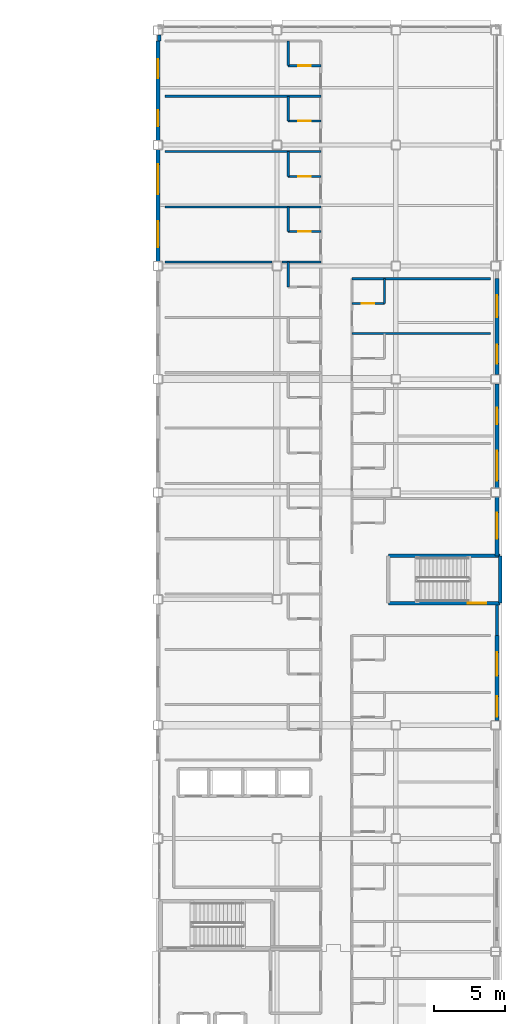
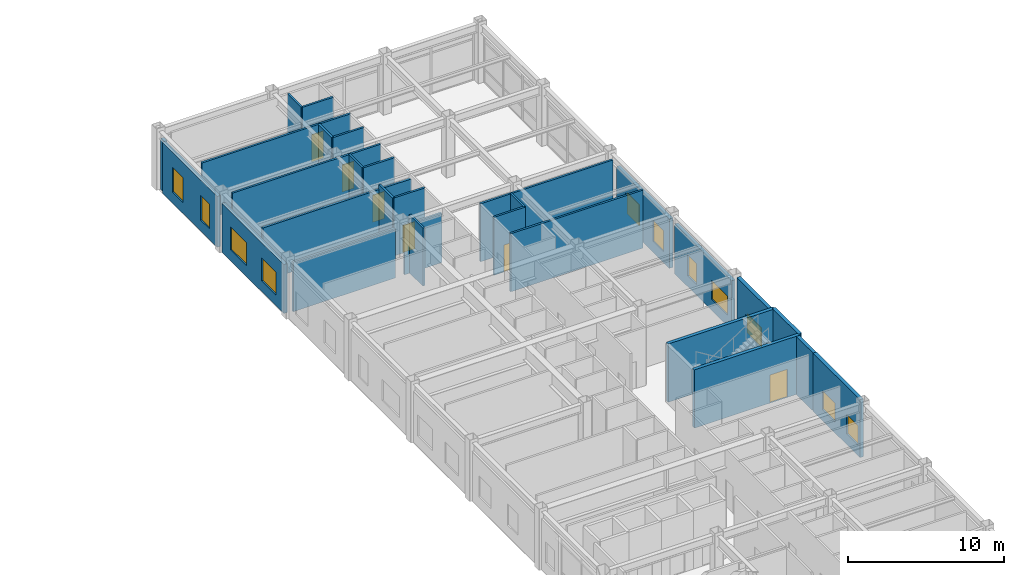
# One storey, part 81 of 93: 29 walls, 11 windows, 6 doors, 17 openings.
"""IFC4 building model written with IfcOpenShell, lengths in metres."""

from ifc_helpers import new_model, si_unit, direction, frame, frame_2d, origin, place, context, subcontext, project, spatial, rectangle, extrude, material, layer, layer_set, type_object, element, fill, save


model = new_model("IFC4")

# Units and contexts
model_context = context("Model", 3, precision=1e-05, world=origin(), true_north=direction((0.0, 1.0)))
body_context = subcontext(model_context, "Body", "Model", "MODEL_VIEW")
ifc_project = project(units=[si_unit("LENGTHUNIT", "METRE"), si_unit("AREAUNIT", "SQUARE_METRE"), si_unit("VOLUMEUNIT", "CUBIC_METRE"), si_unit("PLANEANGLEUNIT", "RADIAN"), si_unit("MASSUNIT", "GRAM", prefix="KILO")], contexts=[model_context])

# Site, building, storey
site_placement = place(None, origin())
site = spatial("IfcSite", under=ifc_project, at=site_placement, CompositionType="ELEMENT")
building_placement = place(site_placement, origin())
building = spatial("IfcBuilding", under=site, at=building_placement, Name="Kazehara Bluff Congress Hotel", CompositionType="ELEMENT")
storey_placement = place(building_placement, frame((0.0, 0.0, 15.0)))
storey = spatial("IfcBuildingStorey", under=building, at=storey_placement, Name="L03", CompositionType="ELEMENT", Elevation=15.0)

# Walls
ifc_material_1 = material(Name="Concrete C40/50", Category="concrete")
ifc_layer_1 = layer(ifc_material_1, 0.25)
ifc_layer_set_1 = layer_set([ifc_layer_1], Name="Concrete C40/50")
wall_type_1 = type_object("IfcWallType", Name="TP-CW-RC", PredefinedType="SHEAR", material=ifc_layer_set_1)
wall_1_placement = place(storey_placement, frame((167.875, 76.425048828125, 0.0), z_axis=(0.0, 0.0, 1.0), x_axis=(0.0, -1.0, 0.0)))
element("IfcWall", 1, at=wall_1_placement, inside=storey, type_object=wall_type_1, Name="L03 ST-12 core wall near", PredefinedType="SHEAR", context=body_context, shape_type="SweptSolid", body=[
    extrude(rectangle(XDim=3.35009765625, YDim=0.25, at=frame_2d((1.675048828125, 0.0))), origin(), (0.0, 0.0, 1.0), 4.56005859375),
])
wall_2_placement = place(storey_placement, frame((159.97509765625, 76.425048828125, 0.0), z_axis=(0.0, 0.0, 1.0), x_axis=(1.0, 0.0, 0.0)))
element("IfcWall", 2, at=wall_2_placement, inside=storey, type_object=wall_type_1, Name="L03 ST-12 core wall left", PredefinedType="SHEAR", context=body_context, shape_type="SweptSolid", body=[
    extrude(rectangle(XDim=7.89990234375, YDim=0.25, at=frame_2d((3.949951171875, 0.0))), origin(), (0.0, 0.0, 1.0), 4.56005859375),
])

# Wall, opening, door
wall_3_placement = place(storey_placement, frame((167.875, 73.074951171875, 0.0), z_axis=(0.0, 0.0, 1.0), x_axis=(-1.0, 0.0, 0.0)))
wall_3 = element("IfcWall", 3, at=wall_3_placement, inside=storey, type_object=wall_type_1, Name="L03 ST-12 core wall right", PredefinedType="SHEAR", context=body_context, shape_type="SweptSolid", body=[
    extrude(rectangle(XDim=7.89990234375, YDim=0.25, at=frame_2d((3.949951171875, 0.0))), origin(), (0.0, 0.0, 1.0), 4.56005859375),
])
opening_1_placement = place(wall_3_placement, frame((0.985107421875, 0.0, 0.0)))
opening_1 = element("IfcOpeningElement", 4, at=opening_1_placement, cuts=wall_3, Name="Opening FD-01", PredefinedType="OPENING", context=body_context, shape_type="SweptSolid", body=[
    extrude(rectangle(XDim=1.300048828125, YDim=2.199951171875, at=frame_2d((0.64990234375, 1.10009765625))), frame((0.0, 0.135009765625, 0.0), z_axis=(0.0, -1.0, 0.0), x_axis=(1.0, 0.0, 0.0)), (0.0, 0.0, 1.0), 0.27001953125),
])
ifc_material_2 = material(Name="Fire-rated painted steel leaf", Category="steel")
door_type_1 = type_object("IfcDoorType", Name="TP-FD-01", OperationType="NOTDEFINED", PredefinedType="DOOR", material=ifc_material_2)
door_1_placement = place(opening_1_placement, origin())
door_1 = element("IfcDoor", 5, at=door_1_placement, inside=storey, type_object=door_type_1, Name="L03 ST-12 fire stair door", OperationType="SINGLE_SWING_LEFT", OverallHeight=2.199951171875, OverallWidth=1.300048828125, PredefinedType="DOOR", context=body_context, shape_type="SweptSolid", body=[
    extrude(rectangle(XDim=1.300048828125, YDim=2.199951171875, at=frame_2d((0.64990234375, 1.10009765625))), frame((0.0, 0.02490234375, 0.0), z_axis=(0.0, -1.0, 0.0), x_axis=(1.0, 0.0, 0.0)), (0.0, 0.0, 1.0), 0.050048828125),
])
fill(opening_1, door_1)

# Walls
ifc_material_3 = material(Name="Precast concrete C40/50", Category="concrete")
ifc_layer_2 = layer(ifc_material_3, 0.239990234375)
ifc_layer_set_2 = layer_set([ifc_layer_2], Name="Precast concrete C40/50")
wall_type_2 = type_object("IfcWallType", Name="TP-EW-240", PredefinedType="SOLIDWALL", material=ifc_layer_set_2)
wall_4_placement = place(storey_placement, frame((167.64990234375, 72.93994140625, 0.0), z_axis=(0.0, 0.0, 1.0), x_axis=(0.0, -1.0, 0.0)))
element("IfcWall", 6, at=wall_4_placement, inside=storey, type_object=wall_type_2, Name="L03 V5 perimeter spandrel pier 709", PredefinedType="SOLIDWALL", context=body_context, shape_type="SweptSolid", body=[
    extrude(rectangle(XDim=2.139892578125, YDim=0.239990234375, at=frame_2d((1.06982421875, 0.0))), origin(), (0.0, 0.0, 1.0), 4.544921875),
])
wall_5_placement = place(storey_placement, frame((143.800048828125, 112.800048828125, 0.0), z_axis=(0.0, 0.0, 1.0), x_axis=(0.0, 1.0, 0.0)))
element("IfcWall", 7, at=wall_5_placement, inside=storey, type_object=wall_type_2, Name="L03 V5 perimeter spandrel pier 712", PredefinedType="SOLIDWALL", context=body_context, shape_type="SweptSolid", body=[
    extrude(rectangle(XDim=0.425048828125, YDim=0.239990234375, at=frame_2d((0.21240234375, 0.0))), origin(), (0.0, 0.0, 1.0), 3.985107421875),
])

# Wall, openings, windows
ifc_material_4 = material(Name="Precast concrete C40/50", Category="concrete")
ifc_layer_3 = layer(ifc_material_4, 0.260009765625)
ifc_layer_set_3 = layer_set([ifc_layer_3], Name="Precast concrete C40/50")
wall_type_3 = type_object("IfcWallType", Name="TP-EW-260", PredefinedType="SOLIDWALL", material=ifc_layer_set_3)
wall_6_placement = place(storey_placement, frame((167.64990234375, 70.800048828125, 0.0), z_axis=(0.0, 0.0, 1.0), x_axis=(0.0, -1.0, 0.0)))
wall_6 = element("IfcWall", 8, at=wall_6_placement, inside=storey, type_object=wall_type_3, Name="L03 hotel facade panel 13", PredefinedType="SOLIDWALL", context=body_context, shape_type="SweptSolid", body=[
    extrude(rectangle(XDim=6.025146484375, YDim=0.260009765625, at=frame_2d((3.0126953125, 0.0))), origin(), (0.0, 0.0, 1.0), 4.544921875),
])
opening_2_placement = place(wall_6_placement, frame((4.304931640625, 0.0, 0.85009765625)))
opening_2 = element("IfcOpeningElement", 9, at=opening_2_placement, cuts=wall_6, Name="Opening WN-17", PredefinedType="OPENING", context=body_context, shape_type="SweptSolid", body=[
    extrude(rectangle(XDim=1.449951171875, YDim=1.5, at=frame_2d((0.72509765625, 0.75))), frame((0.0, 0.139892578125, 0.0), z_axis=(0.0, -1.0, 0.0), x_axis=(1.0, 0.0, 0.0)), (0.0, 0.0, 1.0), 0.280029296875),
])
opening_3_placement = place(wall_6_placement, frame((1.195068359375, 0.0, 0.85009765625)))
opening_3 = element("IfcOpeningElement", 10, at=opening_3_placement, cuts=wall_6, Name="Opening WN-27", PredefinedType="OPENING", context=body_context, shape_type="SweptSolid", body=[
    extrude(rectangle(XDim=1.64990234375, YDim=1.5, at=frame_2d((0.824951171875, 0.75))), frame((0.0, 0.139892578125, 0.0), z_axis=(0.0, -1.0, 0.0), x_axis=(1.0, 0.0, 0.0)), (0.0, 0.0, 1.0), 0.280029296875),
])
ifc_material_5 = material(Name="Insulated low-E double glazing", Category="glass")
window_type_1 = type_object("IfcWindowType", Name="TP-WN-17", PartitioningType="SINGLE_PANEL", PredefinedType="WINDOW", material=ifc_material_5)
window_1_placement = place(opening_2_placement, origin())
window_1 = element("IfcWindow", 11, at=window_1_placement, inside=storey, type_object=window_type_1, Name="L03 guestroom window WN-17 11", OverallHeight=1.5, OverallWidth=1.449951171875, PartitioningType="SINGLE_PANEL", PredefinedType="WINDOW", context=body_context, shape_type="SweptSolid", body=[
    extrude(rectangle(XDim=1.449951171875, YDim=1.5, at=frame_2d((0.72509765625, 0.75))), frame((0.0, 0.030029296875, 0.0), z_axis=(0.0, -1.0, 0.0), x_axis=(1.0, 0.0, 0.0)), (0.0, 0.0, 1.0), 0.06005859375),
])
fill(opening_2, window_1)
ifc_material_6 = material(Name="Insulated low-E double glazing", Category="glass")
window_type_2 = type_object("IfcWindowType", Name="TP-WN-27", PartitioningType="SINGLE_PANEL", PredefinedType="WINDOW", material=ifc_material_6)
window_2_placement = place(opening_3_placement, origin())
window_2 = element("IfcWindow", 12, at=window_2_placement, inside=storey, type_object=window_type_2, Name="L03 guestroom window WN-27 12", OverallHeight=1.5, OverallWidth=1.64990234375, PartitioningType="SINGLE_PANEL", PredefinedType="WINDOW", context=body_context, shape_type="SweptSolid", body=[
    extrude(rectangle(XDim=1.64990234375, YDim=1.5, at=frame_2d((0.824951171875, 0.75))), frame((0.0, 0.030029296875, 0.0), z_axis=(0.0, -1.0, 0.0), x_axis=(1.0, 0.0, 0.0)), (0.0, 0.0, 1.0), 0.06005859375),
])
fill(opening_3, window_2)

# Wall, opening, window
wall_7_placement = place(storey_placement, frame((167.64990234375, 80.574951171875, 0.0), z_axis=(0.0, 0.0, 1.0), x_axis=(0.0, -1.0, 0.0)))
wall_7 = element("IfcWall", 13, at=wall_7_placement, inside=storey, type_object=wall_type_3, Name="L03 hotel facade panel 14", PredefinedType="SOLIDWALL", context=body_context, shape_type="SweptSolid", body=[
    extrude(rectangle(XDim=4.14990234375, YDim=0.260009765625, at=frame_2d((2.074951171875, 0.0))), origin(), (0.0, 0.0, 1.0), 4.544921875),
])
opening_4_placement = place(wall_7_placement, frame((1.110107421875, 0.0, 0.85009765625)))
opening_4 = element("IfcOpeningElement", 14, at=opening_4_placement, cuts=wall_7, Name="Opening WN-37", PredefinedType="OPENING", context=body_context, shape_type="SweptSolid", body=[
    extrude(rectangle(XDim=1.85009765625, YDim=1.5, at=frame_2d((0.925048828125, 0.75))), frame((0.0, 0.139892578125, 0.0), z_axis=(0.0, -1.0, 0.0), x_axis=(1.0, 0.0, 0.0)), (0.0, 0.0, 1.0), 0.280029296875),
])
ifc_material_7 = material(Name="Insulated low-E double glazing", Category="glass")
window_type_3 = type_object("IfcWindowType", Name="TP-WN-37", PartitioningType="DOUBLE_PANEL_VERTICAL", PredefinedType="WINDOW", material=ifc_material_7)
window_3_placement = place(opening_4_placement, origin())
window_3 = element("IfcWindow", 15, at=window_3_placement, inside=storey, type_object=window_type_3, Name="L03 guestroom window WN-37 13", OverallHeight=1.5, OverallWidth=1.85009765625, PartitioningType="SINGLE_PANEL", PredefinedType="WINDOW", context=body_context, shape_type="SweptSolid", body=[
    extrude(rectangle(XDim=1.85009765625, YDim=1.5, at=frame_2d((0.925048828125, 0.75))), frame((0.0, 0.030029296875, 0.0), z_axis=(0.0, -1.0, 0.0), x_axis=(1.0, 0.0, 0.0)), (0.0, 0.0, 1.0), 0.06005859375),
])
fill(opening_4, window_3)

# Wall, openings, windows
wall_8_placement = place(storey_placement, frame((167.64990234375, 88.574951171875, 0.0), z_axis=(0.0, 0.0, 1.0), x_axis=(0.0, -1.0, 0.0)))
wall_8 = element("IfcWall", 16, at=wall_8_placement, inside=storey, type_object=wall_type_3, Name="L03 hotel facade panel 15", PredefinedType="SOLIDWALL", context=body_context, shape_type="SweptSolid", body=[
    extrude(rectangle(XDim=7.349853515625, YDim=0.260009765625, at=frame_2d((3.6748046875, 0.0))), origin(), (0.0, 0.0, 1.0), 3.885009765625),
])
opening_5_placement = place(wall_8_placement, frame((4.735107421875, 0.0, 0.85009765625)))
opening_5 = element("IfcOpeningElement", 17, at=opening_5_placement, cuts=wall_8, Name="Opening WN-47", PredefinedType="OPENING", context=body_context, shape_type="SweptSolid", body=[
    extrude(rectangle(XDim=2.10009765625, YDim=1.5, at=frame_2d((1.050048828125, 0.75))), frame((0.0, 0.139892578125, 0.0), z_axis=(0.0, -1.0, 0.0), x_axis=(1.0, 0.0, 0.0)), (0.0, 0.0, 1.0), 0.280029296875),
])
opening_6_placement = place(wall_8_placement, frame((1.699951171875, 0.0, 0.85009765625)))
opening_6 = element("IfcOpeningElement", 18, at=opening_6_placement, cuts=wall_8, Name="Opening WN-03", PredefinedType="OPENING", context=body_context, shape_type="SweptSolid", body=[
    extrude(rectangle(XDim=1.14990234375, YDim=1.64990234375, at=frame_2d((0.574951171875, 0.824951171875))), frame((0.0, 0.139892578125, 0.0), z_axis=(0.0, -1.0, 0.0), x_axis=(1.0, 0.0, 0.0)), (0.0, 0.0, 1.0), 0.280029296875),
])
ifc_material_8 = material(Name="Insulated low-E double glazing", Category="glass")
window_type_4 = type_object("IfcWindowType", Name="TP-WN-03", PartitioningType="SINGLE_PANEL", PredefinedType="WINDOW", material=ifc_material_8)
window_4_placement = place(opening_6_placement, origin())
window_4 = element("IfcWindow", 19, at=window_4_placement, inside=storey, type_object=window_type_4, Name="L03 guestroom window WN-03 15", OverallHeight=1.64990234375, OverallWidth=1.14990234375, PartitioningType="SINGLE_PANEL", PredefinedType="WINDOW", context=body_context, shape_type="SweptSolid", body=[
    extrude(rectangle(XDim=1.14990234375, YDim=1.64990234375, at=frame_2d((0.574951171875, 0.824951171875))), frame((0.0, 0.030029296875, 0.0), z_axis=(0.0, -1.0, 0.0), x_axis=(1.0, 0.0, 0.0)), (0.0, 0.0, 1.0), 0.06005859375),
])
fill(opening_6, window_4)
ifc_material_9 = material(Name="Insulated low-E double glazing", Category="glass")
window_type_5 = type_object("IfcWindowType", Name="TP-WN-47", PartitioningType="DOUBLE_PANEL_VERTICAL", PredefinedType="WINDOW", material=ifc_material_9)
window_5_placement = place(opening_5_placement, origin())
window_5 = element("IfcWindow", 20, at=window_5_placement, inside=storey, type_object=window_type_5, Name="L03 guestroom window WN-47 14", OverallHeight=1.5, OverallWidth=2.10009765625, PartitioningType="SINGLE_PANEL", PredefinedType="WINDOW", context=body_context, shape_type="SweptSolid", body=[
    extrude(rectangle(XDim=2.10009765625, YDim=1.5, at=frame_2d((1.050048828125, 0.75))), frame((0.0, 0.030029296875, 0.0), z_axis=(0.0, -1.0, 0.0), x_axis=(1.0, 0.0, 0.0)), (0.0, 0.0, 1.0), 0.06005859375),
])
fill(opening_5, window_5)

wall_9_placement = place(storey_placement, frame((167.64990234375, 96.0, 0.0), z_axis=(0.0, 0.0, 1.0), x_axis=(0.0, -1.0, 0.0)))
wall_9 = element("IfcWall", 21, at=wall_9_placement, inside=storey, type_object=wall_type_3, Name="L03 hotel facade panel 16", PredefinedType="SOLIDWALL", context=body_context, shape_type="SweptSolid", body=[
    extrude(rectangle(XDim=6.77490234375, YDim=0.260009765625, at=frame_2d((3.387451171875, 0.0))), origin(), (0.0, 0.0, 1.0), 3.885009765625),
])
opening_7_placement = place(wall_9_placement, frame((4.655029296875, 0.0, 0.85009765625)))
opening_7 = element("IfcOpeningElement", 22, at=opening_7_placement, cuts=wall_9, Name="Opening WN-13", PredefinedType="OPENING", context=body_context, shape_type="SweptSolid", body=[
    extrude(rectangle(XDim=1.35009765625, YDim=1.64990234375, at=frame_2d((0.675048828125, 0.824951171875))), frame((0.0, 0.139892578125, 0.0), z_axis=(0.0, -1.0, 0.0), x_axis=(1.0, 0.0, 0.0)), (0.0, 0.0, 1.0), 0.280029296875),
])
opening_8_placement = place(wall_9_placement, frame((1.1650390625, 0.0, 0.85009765625)))
opening_8 = element("IfcOpeningElement", 23, at=opening_8_placement, cuts=wall_9, Name="Opening WN-23", PredefinedType="OPENING", context=body_context, shape_type="SweptSolid", body=[
    extrude(rectangle(XDim=1.550048828125, YDim=1.64990234375, at=frame_2d((0.77490234375, 0.824951171875))), frame((0.0, 0.139892578125, 0.0), z_axis=(0.0, -1.0, 0.0), x_axis=(1.0, 0.0, 0.0)), (0.0, 0.0, 1.0), 0.280029296875),
])
ifc_material_10 = material(Name="Insulated low-E double glazing", Category="glass")
window_type_6 = type_object("IfcWindowType", Name="TP-WN-13", PartitioningType="SINGLE_PANEL", PredefinedType="WINDOW", material=ifc_material_10)
window_6_placement = place(opening_7_placement, origin())
window_6 = element("IfcWindow", 24, at=window_6_placement, inside=storey, type_object=window_type_6, Name="L03 guestroom window WN-13 16", OverallHeight=1.64990234375, OverallWidth=1.35009765625, PartitioningType="SINGLE_PANEL", PredefinedType="WINDOW", context=body_context, shape_type="SweptSolid", body=[
    extrude(rectangle(XDim=1.35009765625, YDim=1.64990234375, at=frame_2d((0.675048828125, 0.824951171875))), frame((0.0, 0.030029296875, 0.0), z_axis=(0.0, -1.0, 0.0), x_axis=(1.0, 0.0, 0.0)), (0.0, 0.0, 1.0), 0.06005859375),
])
fill(opening_7, window_6)
ifc_material_11 = material(Name="Insulated low-E double glazing", Category="glass")
window_type_7 = type_object("IfcWindowType", Name="TP-WN-23", PartitioningType="SINGLE_PANEL", PredefinedType="WINDOW", material=ifc_material_11)
window_7_placement = place(opening_8_placement, origin())
window_7 = element("IfcWindow", 25, at=window_7_placement, inside=storey, type_object=window_type_7, Name="L03 guestroom window WN-23 17", OverallHeight=1.64990234375, OverallWidth=1.550048828125, PartitioningType="SINGLE_PANEL", PredefinedType="WINDOW", context=body_context, shape_type="SweptSolid", body=[
    extrude(rectangle(XDim=1.550048828125, YDim=1.64990234375, at=frame_2d((0.77490234375, 0.824951171875))), frame((0.0, 0.030029296875, 0.0), z_axis=(0.0, -1.0, 0.0), x_axis=(1.0, 0.0, 0.0)), (0.0, 0.0, 1.0), 0.06005859375),
])
fill(opening_8, window_7)

wall_10_placement = place(storey_placement, frame((143.699951171875, 97.22509765625, 0.0), z_axis=(0.0, 0.0, 1.0), x_axis=(0.0, 1.0, 0.0)))
wall_10 = element("IfcWall", 26, at=wall_10_placement, inside=storey, type_object=wall_type_3, Name="L03 hotel facade panel 22", PredefinedType="SOLIDWALL", context=body_context, shape_type="SweptSolid", body=[
    extrude(rectangle(XDim=7.89990234375, YDim=0.260009765625, at=frame_2d((3.949951171875, 0.0))), origin(), (0.0, 0.0, 1.0), 3.8349609375),
])
opening_9_placement = place(wall_10_placement, frame((1.0, 0.0, 0.85009765625)))
opening_9 = element("IfcOpeningElement", 27, at=opening_9_placement, cuts=wall_10, Name="Opening WN-39", PredefinedType="OPENING", context=body_context, shape_type="SweptSolid", body=[
    extrude(rectangle(XDim=1.85009765625, YDim=1.800048828125, at=frame_2d((0.925048828125, 0.89990234375))), frame((0.0, 0.139892578125, 0.0), z_axis=(0.0, -1.0, 0.0), x_axis=(1.0, 0.0, 0.0)), (0.0, 0.0, 1.0), 0.280029296875),
])
opening_10_placement = place(wall_10_placement, frame((4.7548828125, 0.0, 0.85009765625)))
opening_10 = element("IfcOpeningElement", 28, at=opening_10_placement, cuts=wall_10, Name="Opening WN-49", PredefinedType="OPENING", context=body_context, shape_type="SweptSolid", body=[
    extrude(rectangle(XDim=2.10009765625, YDim=1.800048828125, at=frame_2d((1.050048828125, 0.89990234375))), frame((0.0, 0.139892578125, 0.0), z_axis=(0.0, -1.0, 0.0), x_axis=(1.0, 0.0, 0.0)), (0.0, 0.0, 1.0), 0.280029296875),
])
ifc_material_12 = material(Name="Insulated low-E double glazing", Category="glass")
window_type_8 = type_object("IfcWindowType", Name="TP-WN-39", PartitioningType="DOUBLE_PANEL_VERTICAL", PredefinedType="WINDOW", material=ifc_material_12)
window_8_placement = place(opening_9_placement, origin())
window_8 = element("IfcWindow", 29, at=window_8_placement, inside=storey, type_object=window_type_8, Name="L03 guestroom window WN-39 27", OverallHeight=1.800048828125, OverallWidth=1.85009765625, PartitioningType="SINGLE_PANEL", PredefinedType="WINDOW", context=body_context, shape_type="SweptSolid", body=[
    extrude(rectangle(XDim=1.85009765625, YDim=1.800048828125, at=frame_2d((0.925048828125, 0.89990234375))), frame((0.0, 0.030029296875, 0.0), z_axis=(0.0, -1.0, 0.0), x_axis=(1.0, 0.0, 0.0)), (0.0, 0.0, 1.0), 0.06005859375),
])
fill(opening_9, window_8)
ifc_material_13 = material(Name="Insulated low-E double glazing", Category="glass")
window_type_9 = type_object("IfcWindowType", Name="TP-WN-49", PartitioningType="DOUBLE_PANEL_VERTICAL", PredefinedType="WINDOW", material=ifc_material_13)
window_9_placement = place(opening_10_placement, origin())
window_9 = element("IfcWindow", 30, at=window_9_placement, inside=storey, type_object=window_type_9, Name="L03 guestroom window WN-49 28", OverallHeight=1.800048828125, OverallWidth=2.10009765625, PartitioningType="SINGLE_PANEL", PredefinedType="WINDOW", context=body_context, shape_type="SweptSolid", body=[
    extrude(rectangle(XDim=2.10009765625, YDim=1.800048828125, at=frame_2d((1.050048828125, 0.89990234375))), frame((0.0, 0.030029296875, 0.0), z_axis=(0.0, -1.0, 0.0), x_axis=(1.0, 0.0, 0.0)), (0.0, 0.0, 1.0), 0.06005859375),
])
fill(opening_10, window_9)

wall_11_placement = place(storey_placement, frame((143.699951171875, 105.77490234375, 0.0), z_axis=(0.0, 0.0, 1.0), x_axis=(0.0, 1.0, 0.0)))
wall_11 = element("IfcWall", 31, at=wall_11_placement, inside=storey, type_object=wall_type_3, Name="L03 hotel facade panel 23", PredefinedType="SOLIDWALL", context=body_context, shape_type="SweptSolid", body=[
    extrude(rectangle(XDim=7.025146484375, YDim=0.260009765625, at=frame_2d((3.5126953125, 0.0))), origin(), (0.0, 0.0, 1.0), 3.985107421875),
])
opening_11_placement = place(wall_11_placement, frame((0.985107421875, 0.0, 0.85009765625)))
opening_11 = element("IfcOpeningElement", 32, at=opening_11_placement, cuts=wall_11, Name="Opening WN-05", PredefinedType="OPENING", context=body_context, shape_type="SweptSolid", body=[
    extrude(rectangle(XDim=1.14990234375, YDim=1.949951171875, at=frame_2d((0.574951171875, 0.97509765625))), frame((0.0, 0.139892578125, 0.0), z_axis=(0.0, -1.0, 0.0), x_axis=(1.0, 0.0, 0.0)), (0.0, 0.0, 1.0), 0.280029296875),
])
opening_12_placement = place(wall_11_placement, frame((4.39501953125, 0.0, 0.85009765625)))
opening_12 = element("IfcOpeningElement", 33, at=opening_12_placement, cuts=wall_11, Name="Opening WN-15", PredefinedType="OPENING", context=body_context, shape_type="SweptSolid", body=[
    extrude(rectangle(XDim=1.35009765625, YDim=1.949951171875, at=frame_2d((0.675048828125, 0.97509765625))), frame((0.0, 0.139892578125, 0.0), z_axis=(0.0, -1.0, 0.0), x_axis=(1.0, 0.0, 0.0)), (0.0, 0.0, 1.0), 0.280029296875),
])
ifc_material_14 = material(Name="Insulated low-E double glazing", Category="glass")
window_type_10 = type_object("IfcWindowType", Name="TP-WN-05", PartitioningType="SINGLE_PANEL", PredefinedType="WINDOW", material=ifc_material_14)
window_10_placement = place(opening_11_placement, origin())
window_10 = element("IfcWindow", 34, at=window_10_placement, inside=storey, type_object=window_type_10, Name="L03 guestroom window WN-05 29", OverallHeight=1.949951171875, OverallWidth=1.14990234375, PartitioningType="SINGLE_PANEL", PredefinedType="WINDOW", context=body_context, shape_type="SweptSolid", body=[
    extrude(rectangle(XDim=1.14990234375, YDim=1.949951171875, at=frame_2d((0.574951171875, 0.97509765625))), frame((0.0, 0.030029296875, 0.0), z_axis=(0.0, -1.0, 0.0), x_axis=(1.0, 0.0, 0.0)), (0.0, 0.0, 1.0), 0.06005859375),
])
fill(opening_11, window_10)
ifc_material_15 = material(Name="Insulated low-E double glazing", Category="glass")
window_type_11 = type_object("IfcWindowType", Name="TP-WN-15", PartitioningType="SINGLE_PANEL", PredefinedType="WINDOW", material=ifc_material_15)
window_11_placement = place(opening_12_placement, origin())
window_11 = element("IfcWindow", 35, at=window_11_placement, inside=storey, type_object=window_type_11, Name="L03 guestroom window WN-15 30", OverallHeight=1.949951171875, OverallWidth=1.35009765625, PartitioningType="SINGLE_PANEL", PredefinedType="WINDOW", context=body_context, shape_type="SweptSolid", body=[
    extrude(rectangle(XDim=1.35009765625, YDim=1.949951171875, at=frame_2d((0.675048828125, 0.97509765625))), frame((0.0, 0.030029296875, 0.0), z_axis=(0.0, -1.0, 0.0), x_axis=(1.0, 0.0, 0.0)), (0.0, 0.0, 1.0), 0.06005859375),
])
fill(opening_12, window_11)

# Wall
ifc_material_16 = material(Name="Fire-rated gypsum board stud partition")
ifc_layer_4 = layer(ifc_material_16, 0.14990234375)
ifc_layer_set_4 = layer_set([ifc_layer_4], Name="Fire-rated gypsum board stud partition")
wall_type_4 = type_object("IfcWallType", Name="TP-PT-150", PredefinedType="PARTITIONING", material=ifc_layer_set_4)
wall_12_placement = place(storey_placement, frame((157.39990234375, 92.1201171875, 0.0), z_axis=(0.0, 0.0, 1.0), x_axis=(1.0, 0.0, 0.0)))
element("IfcWall", 36, at=wall_12_placement, inside=storey, type_object=wall_type_4, Name="L03 partition PT-150 307", PredefinedType="PARTITIONING", context=body_context, shape_type="SweptSolid", body=[
    extrude(rectangle(XDim=9.800048828125, YDim=0.14990234375, at=frame_2d((4.89990234375, 0.0))), origin(), (0.0, 0.0, 1.0), 4.544921875),
])

# Wall, opening, door
wall_13_placement = place(storey_placement, frame((157.39990234375, 94.25, 0.0), z_axis=(0.0, 0.0, 1.0), x_axis=(1.0, 0.0, 0.0)))
wall_13 = element("IfcWall", 37, at=wall_13_placement, inside=storey, type_object=wall_type_4, Name="L03 partition PT-150 309", PredefinedType="PARTITIONING", context=body_context, shape_type="SweptSolid", body=[
    extrude(rectangle(XDim=2.300048828125, YDim=0.14990234375, at=frame_2d((1.14990234375, 0.0))), origin(), (0.0, 0.0, 1.0), 4.544921875),
])
opening_13_placement = place(wall_13_placement, frame((0.7099609375, 0.0, 0.0)))
opening_13 = element("IfcOpeningElement", 38, at=opening_13_placement, cuts=wall_13, Name="Opening BD-02", PredefinedType="OPENING", context=body_context, shape_type="SweptSolid", body=[
    extrude(rectangle(XDim=0.8798828125, YDim=2.1201171875, at=frame_2d((0.43994140625, 1.06005859375))), frame((0.0, 0.0849609375, 0.0), z_axis=(0.0, -1.0, 0.0), x_axis=(1.0, 0.0, 0.0)), (0.0, 0.0, 1.0), 0.169921875),
])
ifc_material_17 = material(Name="Architectural oak veneer leaf")
door_type_2 = type_object("IfcDoorType", Name="TP-BD-02", OperationType="NOTDEFINED", PredefinedType="DOOR", material=ifc_material_17)
door_2_placement = place(opening_13_placement, origin())
door_2 = element("IfcDoor", 39, at=door_2_placement, inside=storey, type_object=door_type_2, Name="L03 En-suite Bathroom 30 door", OperationType="SINGLE_SWING_LEFT", OverallHeight=2.1201171875, OverallWidth=0.8798828125, PredefinedType="DOOR", context=body_context, shape_type="SweptSolid", body=[
    extrude(rectangle(XDim=0.8798828125, YDim=2.1201171875, at=frame_2d((0.43994140625, 1.06005859375))), frame((0.0, 0.02490234375, 0.0), z_axis=(0.0, -1.0, 0.0), x_axis=(1.0, 0.0, 0.0)), (0.0, 0.0, 1.0), 0.050048828125),
])
fill(opening_13, door_2)

# Walls
wall_14_placement = place(storey_placement, frame((157.39990234375, 96.0, 0.0), z_axis=(0.0, 0.0, 1.0), x_axis=(1.0, 0.0, 0.0)))
element("IfcWall", 40, at=wall_14_placement, inside=storey, type_object=wall_type_4, Name="L03 partition PT-150 311", PredefinedType="PARTITIONING", context=body_context, shape_type="SweptSolid", body=[
    extrude(rectangle(XDim=9.800048828125, YDim=0.14990234375, at=frame_2d((4.89990234375, 0.0))), origin(), (0.0, 0.0, 1.0), 4.544921875),
])
wall_15_placement = place(storey_placement, frame((144.199951171875, 97.169921875, 0.0), z_axis=(0.0, 0.0, 1.0), x_axis=(1.0, 0.0, 0.0)))
element("IfcWall", 41, at=wall_15_placement, inside=storey, type_object=wall_type_4, Name="L03 partition PT-150 312", PredefinedType="PARTITIONING", context=body_context, shape_type="SweptSolid", body=[
    extrude(rectangle(XDim=7.554931640625, YDim=0.14990234375, at=frame_2d((3.77734375, 0.0))), origin(), (0.0, 0.0, 1.0), 3.885009765625),
])
wall_16_placement = place(storey_placement, frame((152.445068359375, 97.169921875, 0.0), z_axis=(0.0, 0.0, 1.0), x_axis=(1.0, 0.0, 0.0)))
element("IfcWall", 42, at=wall_16_placement, inside=storey, type_object=wall_type_4, Name="L03 partition PT-150 313", PredefinedType="PARTITIONING", context=body_context, shape_type="SweptSolid", body=[
    extrude(rectangle(XDim=2.7548828125, YDim=0.14990234375, at=frame_2d((1.37744140625, 0.0))), origin(), (0.0, 0.0, 1.0), 3.885009765625),
])

# Wall, opening, door
wall_17_placement = place(storey_placement, frame((152.89990234375, 99.330078125, 0.0), z_axis=(0.0, 0.0, 1.0), x_axis=(1.0, 0.0, 0.0)))
wall_17 = element("IfcWall", 43, at=wall_17_placement, inside=storey, type_object=wall_type_4, Name="L03 partition PT-150 314", PredefinedType="PARTITIONING", context=body_context, shape_type="SweptSolid", body=[
    extrude(rectangle(XDim=2.300048828125, YDim=0.14990234375, at=frame_2d((1.14990234375, 0.0))), origin(), (0.0, 0.0, 1.0), 4.544921875),
])
opening_14_placement = place(wall_17_placement, frame((0.7099609375, 0.0, 0.0)))
opening_14 = element("IfcOpeningElement", 44, at=opening_14_placement, cuts=wall_17, Name="Opening BD-02", PredefinedType="OPENING", context=body_context, shape_type="SweptSolid", body=[
    extrude(rectangle(XDim=0.8798828125, YDim=2.1201171875, at=frame_2d((0.43994140625, 1.06005859375))), frame((0.0, 0.0849609375, 0.0), z_axis=(0.0, -1.0, 0.0), x_axis=(1.0, 0.0, 0.0)), (0.0, 0.0, 1.0), 0.169921875),
])
door_3_placement = place(opening_14_placement, origin())
door_3 = element("IfcDoor", 45, at=door_3_placement, inside=storey, type_object=door_type_2, Name="L03 En-suite Bathroom 10 door", OperationType="SINGLE_SWING_LEFT", OverallHeight=2.1201171875, OverallWidth=0.8798828125, PredefinedType="DOOR", context=body_context, shape_type="SweptSolid", body=[
    extrude(rectangle(XDim=0.8798828125, YDim=2.1201171875, at=frame_2d((0.43994140625, 1.06005859375))), frame((0.0, 0.02490234375, 0.0), z_axis=(0.0, -1.0, 0.0), x_axis=(1.0, 0.0, 0.0)), (0.0, 0.0, 1.0), 0.050048828125),
])
fill(opening_14, door_3)

# Wall
wall_18_placement = place(storey_placement, frame((144.199951171875, 101.080078125, 0.0), z_axis=(0.0, 0.0, 1.0), x_axis=(1.0, 0.0, 0.0)))
element("IfcWall", 46, at=wall_18_placement, inside=storey, type_object=wall_type_4, Name="L03 partition PT-150 315", PredefinedType="PARTITIONING", context=body_context, shape_type="SweptSolid", body=[
    extrude(rectangle(XDim=11.0, YDim=0.14990234375, at=frame_2d((5.5, 0.0))), origin(), (0.0, 0.0, 1.0), 4.18505859375),
])

# Wall, opening, door
wall_19_placement = place(storey_placement, frame((152.89990234375, 103.22998046875, 0.0), z_axis=(0.0, 0.0, 1.0), x_axis=(1.0, 0.0, 0.0)))
wall_19 = element("IfcWall", 47, at=wall_19_placement, inside=storey, type_object=wall_type_4, Name="L03 partition PT-150 316", PredefinedType="PARTITIONING", context=body_context, shape_type="SweptSolid", body=[
    extrude(rectangle(XDim=2.300048828125, YDim=0.14990234375, at=frame_2d((1.14990234375, 0.0))), origin(), (0.0, 0.0, 1.0), 4.544921875),
])
opening_15_placement = place(wall_19_placement, frame((0.7099609375, 0.0, 0.0)))
opening_15 = element("IfcOpeningElement", 48, at=opening_15_placement, cuts=wall_19, Name="Opening BD-02", PredefinedType="OPENING", context=body_context, shape_type="SweptSolid", body=[
    extrude(rectangle(XDim=0.8798828125, YDim=2.1201171875, at=frame_2d((0.43994140625, 1.06005859375))), frame((0.0, 0.0849609375, 0.0), z_axis=(0.0, -1.0, 0.0), x_axis=(1.0, 0.0, 0.0)), (0.0, 0.0, 1.0), 0.169921875),
])
door_4_placement = place(opening_15_placement, origin())
door_4 = element("IfcDoor", 49, at=door_4_placement, inside=storey, type_object=door_type_2, Name="L03 En-suite Bathroom 11 door", OperationType="SINGLE_SWING_LEFT", OverallHeight=2.1201171875, OverallWidth=0.8798828125, PredefinedType="DOOR", context=body_context, shape_type="SweptSolid", body=[
    extrude(rectangle(XDim=0.8798828125, YDim=2.1201171875, at=frame_2d((0.43994140625, 1.06005859375))), frame((0.0, 0.02490234375, 0.0), z_axis=(0.0, -1.0, 0.0), x_axis=(1.0, 0.0, 0.0)), (0.0, 0.0, 1.0), 0.050048828125),
])
fill(opening_15, door_4)

# Wall
wall_20_placement = place(storey_placement, frame((144.199951171875, 104.97998046875, 0.0), z_axis=(0.0, 0.0, 1.0), x_axis=(1.0, 0.0, 0.0)))
element("IfcWall", 50, at=wall_20_placement, inside=storey, type_object=wall_type_4, Name="L03 partition PT-150 317", PredefinedType="PARTITIONING", context=body_context, shape_type="SweptSolid", body=[
    extrude(rectangle(XDim=11.0, YDim=0.14990234375, at=frame_2d((5.5, 0.0))), origin(), (0.0, 0.0, 1.0), 4.544921875),
])

# Wall, opening, door
wall_21_placement = place(storey_placement, frame((152.89990234375, 107.139892578125, 0.0), z_axis=(0.0, 0.0, 1.0), x_axis=(1.0, 0.0, 0.0)))
wall_21 = element("IfcWall", 51, at=wall_21_placement, inside=storey, type_object=wall_type_4, Name="L03 partition PT-150 318", PredefinedType="PARTITIONING", context=body_context, shape_type="SweptSolid", body=[
    extrude(rectangle(XDim=2.300048828125, YDim=0.14990234375, at=frame_2d((1.14990234375, 0.0))), origin(), (0.0, 0.0, 1.0), 4.544921875),
])
opening_16_placement = place(wall_21_placement, frame((0.7099609375, 0.0, 0.0)))
opening_16 = element("IfcOpeningElement", 52, at=opening_16_placement, cuts=wall_21, Name="Opening BD-02", PredefinedType="OPENING", context=body_context, shape_type="SweptSolid", body=[
    extrude(rectangle(XDim=0.8798828125, YDim=2.1201171875, at=frame_2d((0.43994140625, 1.06005859375))), frame((0.0, 0.0849609375, 0.0), z_axis=(0.0, -1.0, 0.0), x_axis=(1.0, 0.0, 0.0)), (0.0, 0.0, 1.0), 0.169921875),
])
door_5_placement = place(opening_16_placement, origin())
door_5 = element("IfcDoor", 53, at=door_5_placement, inside=storey, type_object=door_type_2, Name="L03 En-suite Bathroom 12 door", OperationType="SINGLE_SWING_LEFT", OverallHeight=2.1201171875, OverallWidth=0.8798828125, PredefinedType="DOOR", context=body_context, shape_type="SweptSolid", body=[
    extrude(rectangle(XDim=0.8798828125, YDim=2.1201171875, at=frame_2d((0.43994140625, 1.06005859375))), frame((0.0, 0.02490234375, 0.0), z_axis=(0.0, -1.0, 0.0), x_axis=(1.0, 0.0, 0.0)), (0.0, 0.0, 1.0), 0.050048828125),
])
fill(opening_16, door_5)

# Wall
wall_22_placement = place(storey_placement, frame((144.199951171875, 108.889892578125, 0.0), z_axis=(0.0, 0.0, 1.0), x_axis=(1.0, 0.0, 0.0)))
element("IfcWall", 54, at=wall_22_placement, inside=storey, type_object=wall_type_4, Name="L03 partition PT-150 319", PredefinedType="PARTITIONING", context=body_context, shape_type="SweptSolid", body=[
    extrude(rectangle(XDim=11.0, YDim=0.14990234375, at=frame_2d((5.5, 0.0))), origin(), (0.0, 0.0, 1.0), 4.544921875),
])

# Wall, opening, door
wall_23_placement = place(storey_placement, frame((152.89990234375, 111.050048828125, 0.0), z_axis=(0.0, 0.0, 1.0), x_axis=(1.0, 0.0, 0.0)))
wall_23 = element("IfcWall", 55, at=wall_23_placement, inside=storey, type_object=wall_type_4, Name="L03 partition PT-150 320", PredefinedType="PARTITIONING", context=body_context, shape_type="SweptSolid", body=[
    extrude(rectangle(XDim=2.300048828125, YDim=0.14990234375, at=frame_2d((1.14990234375, 0.0))), origin(), (0.0, 0.0, 1.0), 4.544921875),
])
opening_17_placement = place(wall_23_placement, frame((0.7099609375, 0.0, 0.0)))
opening_17 = element("IfcOpeningElement", 56, at=opening_17_placement, cuts=wall_23, Name="Opening BD-02", PredefinedType="OPENING", context=body_context, shape_type="SweptSolid", body=[
    extrude(rectangle(XDim=0.8798828125, YDim=2.1201171875, at=frame_2d((0.43994140625, 1.06005859375))), frame((0.0, 0.0849609375, 0.0), z_axis=(0.0, -1.0, 0.0), x_axis=(1.0, 0.0, 0.0)), (0.0, 0.0, 1.0), 0.169921875),
])
door_6_placement = place(opening_17_placement, origin())
door_6 = element("IfcDoor", 57, at=door_6_placement, inside=storey, type_object=door_type_2, Name="L03 En-suite Bathroom 13 door", OperationType="SINGLE_SWING_LEFT", OverallHeight=2.1201171875, OverallWidth=0.8798828125, PredefinedType="DOOR", context=body_context, shape_type="SweptSolid", body=[
    extrude(rectangle(XDim=0.8798828125, YDim=2.1201171875, at=frame_2d((0.43994140625, 1.06005859375))), frame((0.0, 0.02490234375, 0.0), z_axis=(0.0, -1.0, 0.0), x_axis=(1.0, 0.0, 0.0)), (0.0, 0.0, 1.0), 0.050048828125),
])
fill(opening_17, door_6)

# Walls
for number, where, z_axis, x_axis, name in (
    (58, (152.89990234375, 95.419921875, 0.0), (0.0, 0.0, 1.0), (0.0, 1.0, 0.0), "L03 partition PT-150 338"),
    (59, (152.89990234375, 99.324951171875, 0.0), (0.0, 0.0, 1.0), (0.0, 1.0, 0.0), "L03 partition PT-150 339"),
    (60, (152.89990234375, 103.235107421875, 0.0), (0.0, 0.0, 1.0), (0.0, 1.0, 0.0), "L03 partition PT-150 340"),
    (61, (152.89990234375, 107.139892578125, 0.0), (0.0, 0.0, 1.0), (0.0, 1.0, 0.0), "L03 partition PT-150 341"),
    (62, (152.89990234375, 111.050048828125, 0.0), (0.0, 0.0, 1.0), (0.0, 1.0, 0.0), "L03 partition PT-150 342"),
    (63, (159.699951171875, 94.25, 0.0), (0.0, 0.0, 1.0), (0.0, 1.0, 0.0), "L03 partition PT-150 367"),
):
    element("IfcWall", number, at=place(storey_placement, frame(where, z_axis=z_axis, x_axis=x_axis)), inside=storey, type_object=wall_type_4, Name=name, PredefinedType="PARTITIONING", context=body_context, shape_type="SweptSolid", body=[
        extrude(rectangle(XDim=1.75, YDim=0.14990234375, at=frame_2d((0.875, 0.0))), origin(), (0.0, 0.0, 1.0), 4.544921875),
    ])

save(model, "model.ifc")
